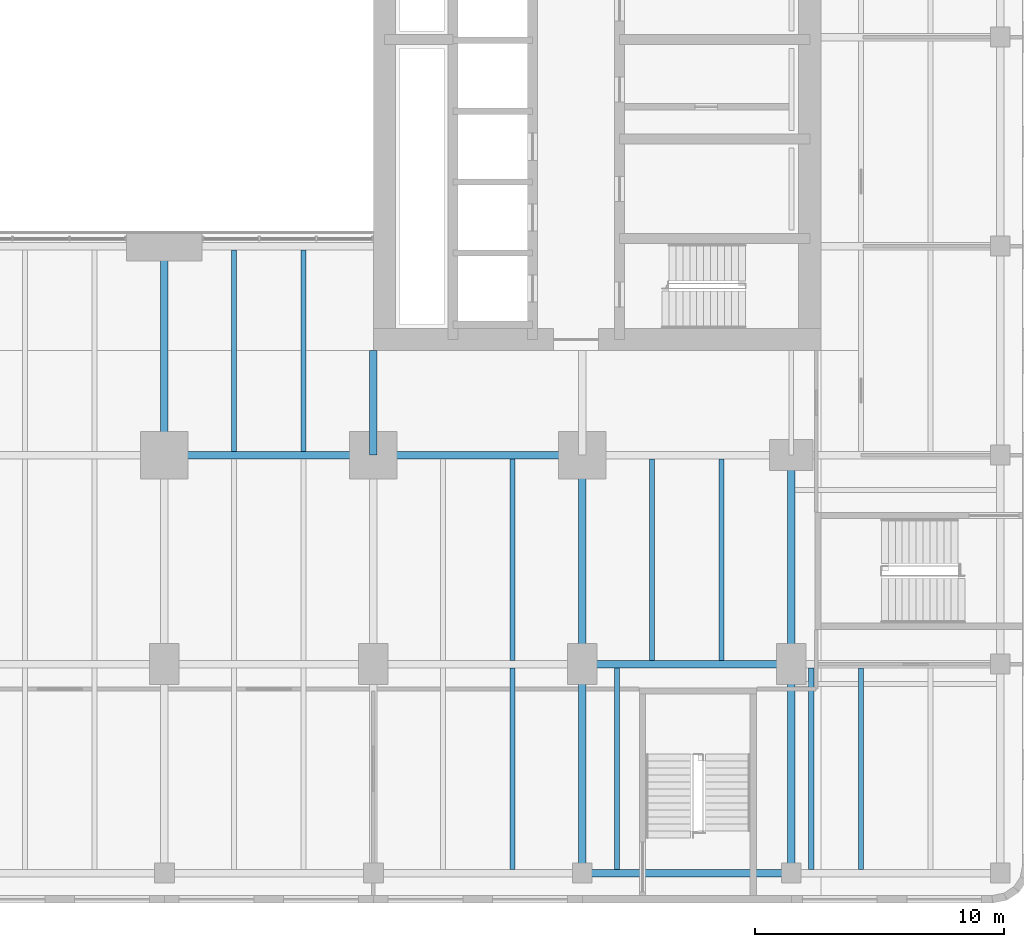
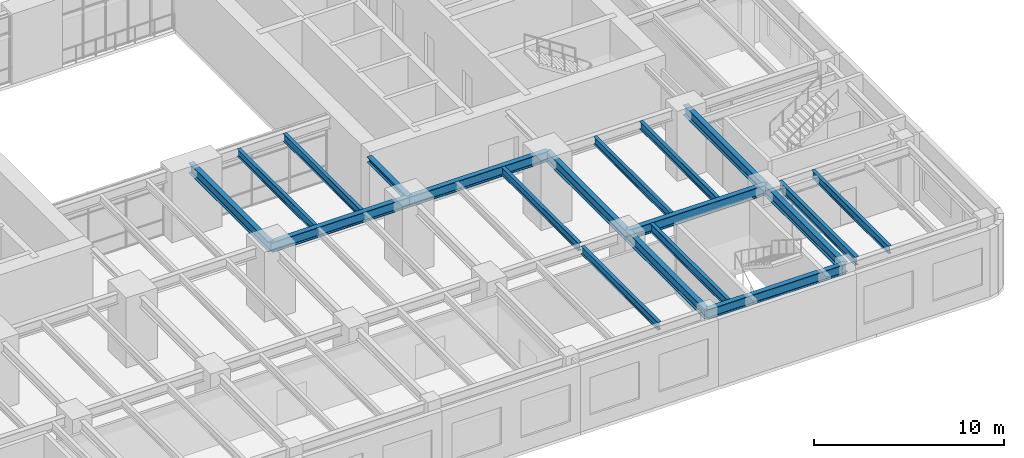
# One storey, part 3 of 26: 19 beams.
"""IFC4 building model written with IfcOpenShell, lengths in metres."""

from ifc_helpers import new_model, si_unit, direction, frame, origin, origin_2d, place, context, subcontext, project, spatial, i_section, extrude, material, material_profile, profile_set, type_object, element, save


model = new_model("IFC4")

# Units and contexts
model_context = context("Model", 3, precision=1e-05, world=origin(), true_north=direction((0.0, 1.0)))
body_context = subcontext(model_context, "Body", "Model", "MODEL_VIEW")
ifc_project = project(units=[si_unit("LENGTHUNIT", "METRE"), si_unit("AREAUNIT", "SQUARE_METRE"), si_unit("VOLUMEUNIT", "CUBIC_METRE"), si_unit("PLANEANGLEUNIT", "RADIAN"), si_unit("MASSUNIT", "GRAM", prefix="KILO")], contexts=[model_context])

# Site, building, storey
site_placement = place(None, origin())
site = spatial("IfcSite", under=ifc_project, at=site_placement, CompositionType="ELEMENT")
building_placement = place(site_placement, origin())
building = spatial("IfcBuilding", under=site, at=building_placement, Name="Claustro Exchange Tower", CompositionType="ELEMENT")
storey_placement = place(building_placement, frame((0.0, 0.0, 9.89990234375)))
storey = spatial("IfcBuildingStorey", under=building, at=storey_placement, Name="L02", CompositionType="ELEMENT", Elevation=9.89990234375)

# Beams
ifc_material_1 = material(Name="Steel S355", Category="steel")
ifc_material_profile_1 = material_profile(ifc_material_1, i_section(OverallWidth=0.300048828125, OverallDepth=0.64990234375, WebThickness=0.01611328125, FlangeThickness=0.031005859375, FilletRadius=0.027099609375, at=origin_2d()), Name="HE 650 B")
ifc_profile_set_1 = profile_set([ifc_material_profile_1], Name="Steel S355")
beam_type_1 = type_object("IfcBeamType", Name="B1A HE 650 B floor girder", PredefinedType="BEAM", material=ifc_profile_set_1)
beam_1_placement = place(storey_placement, frame((25.199951171875, 8.39990234375, 3.97509765625), z_axis=(0.0, 1.0, 0.0), x_axis=(-1.0, 0.0, 0.0)))
element("IfcBeam", 1, at=beam_1_placement, inside=storey, type_object=beam_type_1, Name="Beam B1A L03", PredefinedType="BEAM", context=body_context, shape_type="SweptSolid", body=[
    extrude(i_section(OverallWidth=0.300048828125, OverallDepth=0.64990234375, WebThickness=0.01611328125, FlangeThickness=0.031005859375, FilletRadius=0.027099609375, at=origin_2d()), origin(), (0.0, 0.0, 1.0), 8.400146484375),
])
for number, where, z_axis, x_axis, name in (
    (2, (42.0, -8.39990234375, 3.97509765625), (0.0, 1.0, 0.0), (-1.0, 0.0, 0.0), "Beam B1A L03"),
    (3, (42.0, 0.0, 3.97509765625), (0.0, 1.0, 0.0), (-1.0, 0.0, 0.0), "Beam B1A L03"),
    (4, (50.39990234375, -8.39990234375, 3.97509765625), (0.0, 1.0, 0.0), (-1.0, 0.0, 0.0), "Beam B1A L03"),
    (5, (50.39990234375, 0.0, 3.97509765625), (0.0, 1.0, 0.0), (-1.0, 0.0, 0.0), "Beam B1A L03"),
    (6, (42.0, -8.39990234375, 3.97509765625), (1.0, 0.0, 0.0), (0.0, 1.0, 0.0), "Beam B1A L03"),
    (7, (42.0, 0.0, 3.97509765625), (1.0, 0.0, 0.0), (0.0, 1.0, 0.0), "Beam B1A L03"),
):
    element("IfcBeam", number, at=place(storey_placement, frame(where, z_axis=z_axis, x_axis=x_axis)), inside=storey, type_object=beam_type_1, Name=name, PredefinedType="BEAM", context=body_context, shape_type="SweptSolid", body=[
        extrude(i_section(OverallWidth=0.300048828125, OverallDepth=0.64990234375, WebThickness=0.01611328125, FlangeThickness=0.031005859375, FilletRadius=0.027099609375, at=origin_2d()), origin(), (0.0, 0.0, 1.0), 8.39990234375),
    ])
beam_2_placement = place(storey_placement, frame((25.199951171875, 8.39990234375, 3.97509765625), z_axis=(1.0, 0.0, 0.0), x_axis=(0.0, 1.0, 0.0)))
element("IfcBeam", 8, at=beam_2_placement, inside=storey, type_object=beam_type_1, Name="Beam B1A L03", PredefinedType="BEAM", context=body_context, shape_type="SweptSolid", body=[
    extrude(i_section(OverallWidth=0.300048828125, OverallDepth=0.64990234375, WebThickness=0.01611328125, FlangeThickness=0.031005859375, FilletRadius=0.027099609375, at=origin_2d()), origin(), (0.0, 0.0, 1.0), 8.400146484375),
])
beam_3_placement = place(storey_placement, frame((33.60009765625, 8.39990234375, 3.97509765625), z_axis=(1.0, 0.0, 0.0), x_axis=(0.0, 1.0, 0.0)))
element("IfcBeam", 9, at=beam_3_placement, inside=storey, type_object=beam_type_1, Name="Beam B1A L03", PredefinedType="BEAM", context=body_context, shape_type="SweptSolid", body=[
    extrude(i_section(OverallWidth=0.300048828125, OverallDepth=0.64990234375, WebThickness=0.01611328125, FlangeThickness=0.031005859375, FilletRadius=0.027099609375, at=origin_2d()), origin(), (0.0, 0.0, 1.0), 8.39990234375),
])
ifc_material_2 = material(Name="Steel S355", Category="steel")
ifc_material_profile_2 = material_profile(ifc_material_2, i_section(OverallWidth=0.199951171875, OverallDepth=0.5, WebThickness=0.01025390625, FlangeThickness=0.01611328125, FilletRadius=0.02099609375, at=origin_2d()), Name="IPE 500")
ifc_profile_set_2 = profile_set([ifc_material_profile_2], Name="Steel S355")
beam_type_2 = type_object("IfcBeamType", Name="B2 IPE 500 secondary beam", PredefinedType="BEAM", material=ifc_profile_set_2)
for number, where, z_axis, x_axis, name in (
    (10, (28.0, 8.550048828125, 4.050048828125), (0.0, 1.0, 0.0), (-1.0, 0.0, 0.0), "Beam B2 L03"),
    (11, (30.800048828125, 8.550048828125, 4.050048828125), (0.0, 1.0, 0.0), (-1.0, 0.0, 0.0), "Beam B2 L03"),
):
    element("IfcBeam", number, at=place(storey_placement, frame(where, z_axis=z_axis, x_axis=x_axis)), inside=storey, type_object=beam_type_2, Name=name, PredefinedType="BEAM", context=body_context, shape_type="SweptSolid", body=[
        extrude(i_section(OverallWidth=0.199951171875, OverallDepth=0.5, WebThickness=0.01025390625, FlangeThickness=0.01611328125, FilletRadius=0.02099609375, at=origin_2d()), origin(), (0.0, 0.0, 1.0), 8.099853515625),
    ])
for number, where, z_axis, x_axis, name in (
    (12, (39.199951171875, -8.25, 4.050048828125), (0.0, 1.0, 0.0), (-1.0, 0.0, 0.0), "Beam B2 L03"),
    (13, (39.199951171875, 0.14990234375, 4.050048828125), (0.0, 1.0, 0.0), (-1.0, 0.0, 0.0), "Beam B2 L03"),
    (14, (44.800048828125, 0.14990234375, 4.050048828125), (0.0, 1.0, 0.0), (-1.0, 0.0, 0.0), "Beam B2 L03"),
    (15, (47.60009765625, 0.14990234375, 4.050048828125), (0.0, 1.0, 0.0), (-1.0, 0.0, 0.0), "Beam B2 L03"),
    (16, (53.199951171875, -8.25, 4.050048828125), (0.0, 1.0, 0.0), (-1.0, 0.0, 0.0), "Beam B2 L03"),
):
    element("IfcBeam", number, at=place(storey_placement, frame(where, z_axis=z_axis, x_axis=x_axis)), inside=storey, type_object=beam_type_2, Name=name, PredefinedType="BEAM", context=body_context, shape_type="SweptSolid", body=[
        extrude(i_section(OverallWidth=0.199951171875, OverallDepth=0.5, WebThickness=0.01025390625, FlangeThickness=0.01611328125, FilletRadius=0.02099609375, at=origin_2d()), origin(), (0.0, 0.0, 1.0), 8.10009765625),
    ])
ifc_material_3 = material(Name="Steel S355", Category="steel")
ifc_material_profile_3 = material_profile(ifc_material_3, i_section(OverallWidth=0.2099609375, OverallDepth=0.550048828125, WebThickness=0.010986328125, FlangeThickness=0.01708984375, FilletRadius=0.02392578125, at=origin_2d()), Name="IPE 550")
ifc_profile_set_3 = profile_set([ifc_material_profile_3], Name="Steel S355")
beam_type_3 = type_object("IfcBeamType", Name="B28 IPE 550 podium stair trimmer", PredefinedType="BEAM", material=ifc_profile_set_3)
for number, where, z_axis, x_axis, name in (
    (17, (43.39990234375, -8.25, 4.025146484375), (0.0, 1.0, 0.0), (-1.0, 0.0, 0.0), "Beam B28 trimmer STP2 L03"),
    (18, (51.199951171875, -8.25, 4.025146484375), (0.0, 1.0, 0.0), (-1.0, 0.0, 0.0), "Beam B28 trimmer STP2 L03"),
):
    element("IfcBeam", number, at=place(storey_placement, frame(where, z_axis=z_axis, x_axis=x_axis)), inside=storey, type_object=beam_type_3, Name=name, PredefinedType="BEAM", context=body_context, shape_type="SweptSolid", body=[
        extrude(i_section(OverallWidth=0.2099609375, OverallDepth=0.550048828125, WebThickness=0.010986328125, FlangeThickness=0.01708984375, FilletRadius=0.02392578125, at=origin_2d()), origin(), (0.0, 0.0, 1.0), 8.10009765625),
    ])
ifc_material_4 = material(Name="Steel S355", Category="steel")
ifc_material_profile_4 = material_profile(ifc_material_4, i_section(OverallWidth=0.300048828125, OverallDepth=0.360107421875, WebThickness=0.012451171875, FlangeThickness=0.0224609375, FilletRadius=0.027099609375, at=origin_2d()), Name="HE 360 B")
ifc_profile_set_4 = profile_set([ifc_material_profile_4], Name="Steel S355")
beam_type_4 = type_object("IfcBeamType", Name="B29 HE 360 B column to core link beam", PredefinedType="BEAM", material=ifc_profile_set_4)
beam_4_placement = place(storey_placement, frame((33.60009765625, 8.39990234375, 4.1201171875), z_axis=(0.0, 1.0, 0.0), x_axis=(-1.0, 0.0, 0.0)))
element("IfcBeam", 19, at=beam_4_placement, inside=storey, type_object=beam_type_4, Name="Beam B29 L03", PredefinedType="BEAM", context=body_context, shape_type="SweptSolid", body=[
    extrude(i_section(OverallWidth=0.300048828125, OverallDepth=0.360107421875, WebThickness=0.012451171875, FlangeThickness=0.0224609375, FilletRadius=0.027099609375, at=origin_2d()), origin(), (0.0, 0.0, 1.0), 4.2001953125),
])

save(model, "model.ifc")
